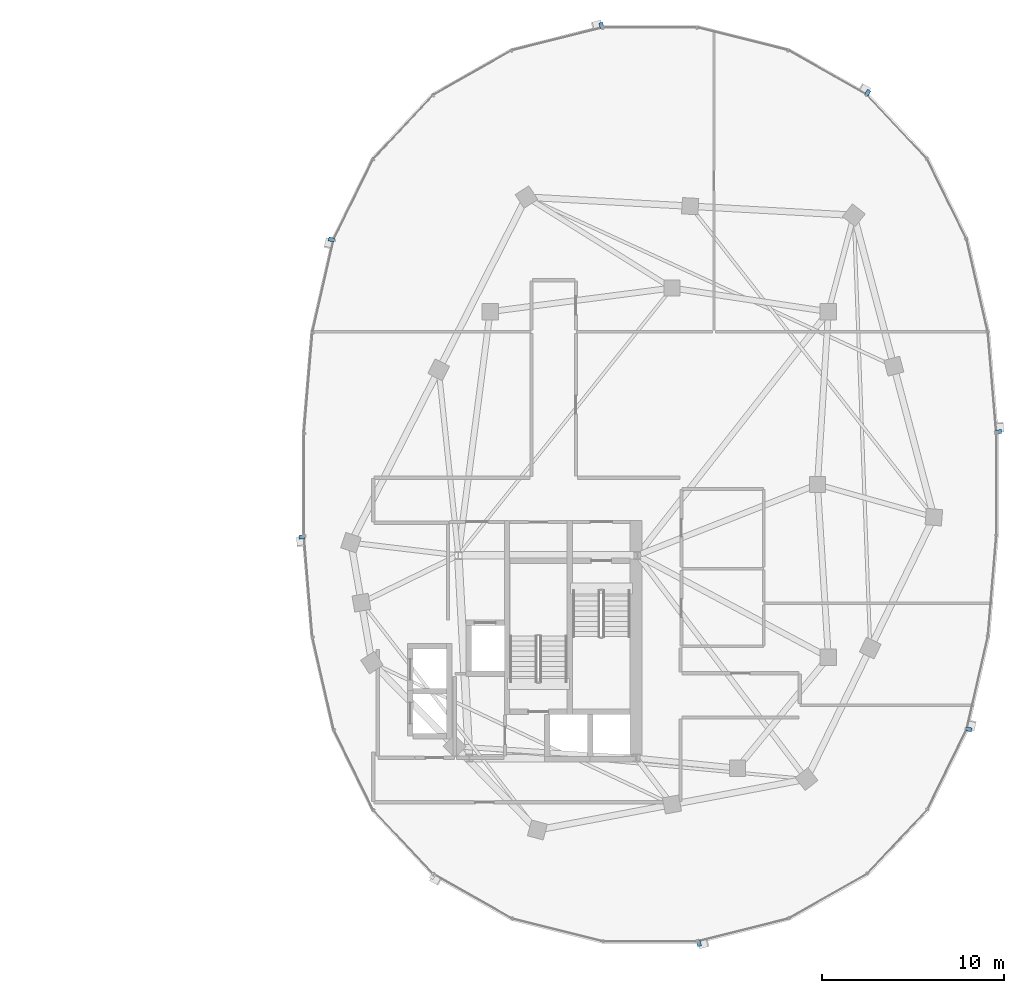
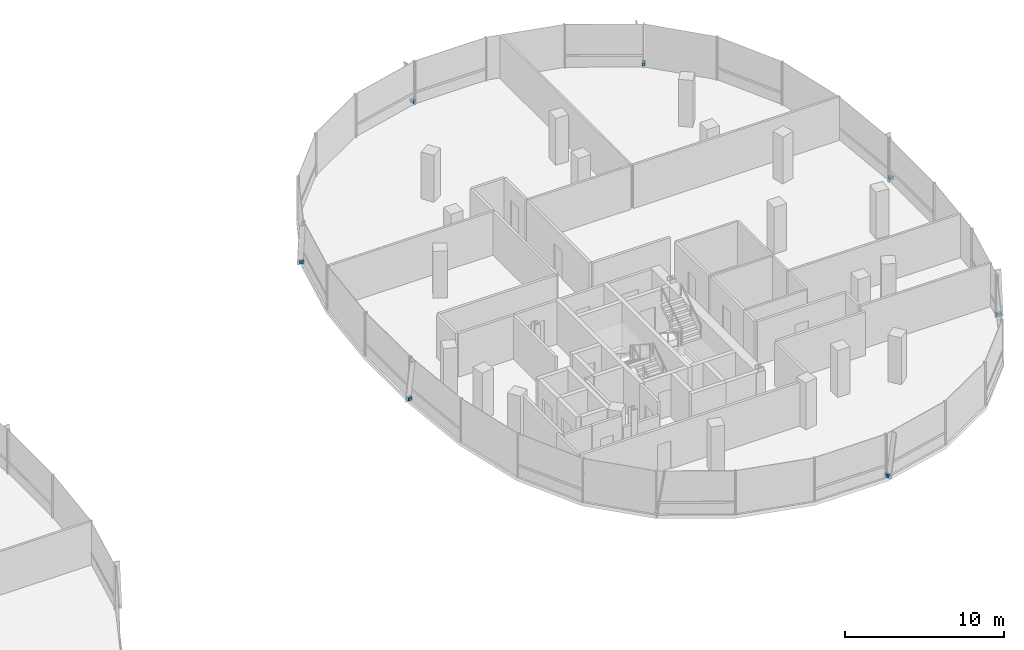
# One storey, part 20 of 25: 7 discrete accessories.
"""IFC4 building model written with IfcOpenShell, lengths in metres."""

import ifcopenshell
import ifcopenshell.guid

model = None  # the IFC model being written
_history = None  # IfcOwnerHistory: only IFC2X3 demands one
_inside = {}  # id of a spatial element -> (the spatial element, [elements in it])
_under = {}  # id of a project, library or spatial element -> (it, [spatial elements below it])
_declared = {}  # id of a project -> (the project, [libraries it declares])
_typed = {}  # id of a type object -> (the type object, [elements of that type])
_made_of = {}  # id of a material, layer set ... -> (it, [elements and type objects made of it])


def new_model(schema):
    """Start an empty IFC model of exactly this schema.

    Asked for "IFC4X3", IfcOpenShell would pick the latest addendum, in which some entities
    have other attributes; the version numbers below select the first issue.
    IFC2X3 requires an IfcOwnerHistory on every rooted entity: one is made here for all.
    """
    global model, _history
    if schema == "IFC4X3":
        model = ifcopenshell.file(schema_version=(4, 3, 0, 0))
    else:
        model = ifcopenshell.file(schema=schema)
    _inside.clear()
    _under.clear()
    _declared.clear()
    _typed.clear()
    _made_of.clear()
    _history = None
    if model.schema == "IFC2X3":
        org = make("IfcOrganization", Name="unknown")
        user = make(
            "IfcPersonAndOrganization",
            ThePerson=make("IfcPerson", FamilyName="unknown"),
            TheOrganization=org,
        )
        app = make(
            "IfcApplication",
            ApplicationDeveloper=org,
            Version="unknown",
            ApplicationFullName="unknown",
            ApplicationIdentifier="unknown",
        )
        _history = make(
            "IfcOwnerHistory",
            OwningUser=user,
            OwningApplication=app,
            ChangeAction="ADDED",
            CreationDate=0,
        )
    return model


def make(cls, **values):
    """One entity of the class cls with the attributes given. An attribute that is None is left unset."""
    return model.create_entity(
        cls, **{name: value for name, value in values.items() if value is not None}
    )


def rooted(cls, **values):
    """An entity with a GlobalId (a new one), such as an element, a storey or a relation."""
    return make(cls, GlobalId=ifcopenshell.guid.new(), OwnerHistory=_history, **values)


def si_unit(unit_type, name, prefix=None):
    """IfcSIUnit, for example si_unit("LENGTHUNIT", "METRE", prefix="MILLI")."""
    return make("IfcSIUnit", UnitType=unit_type, Prefix=prefix, Name=name)


def assignment(units):
    """IfcUnitAssignment: the units of a project."""
    return None if units is None else make("IfcUnitAssignment", Units=units)


def point(xyz):
    """IfcCartesianPoint."""
    return None if xyz is None else make("IfcCartesianPoint", Coordinates=xyz)


def direction(xyz):
    """IfcDirection."""
    return None if xyz is None else make("IfcDirection", DirectionRatios=xyz)


def frame(location, z_axis=None, x_axis=None):
    """IfcAxis2Placement3D, a coordinate frame: its origin and axes. An axis left out is left unset."""
    return make(
        "IfcAxis2Placement3D",
        Location=point(location),
        Axis=direction(z_axis),
        RefDirection=direction(x_axis),
    )


def frame_2d(location, x_axis=None):
    """IfcAxis2Placement2D, a coordinate frame in the plane: its origin and x axis."""
    return make(
        "IfcAxis2Placement2D", Location=point(location), RefDirection=direction(x_axis)
    )


def origin():
    """The frame at (0, 0, 0) with its axes left unset."""
    return frame((0.0, 0.0, 0.0))


def origin_2d():
    """The frame at (0, 0) in the plane with its x axis left unset."""
    return frame_2d((0.0, 0.0))


def place(relative_to, where):
    """IfcLocalPlacement: puts the frame where relative to a parent placement (None: the world)."""
    return make(
        "IfcLocalPlacement", PlacementRelTo=relative_to, RelativePlacement=where
    )


def context(
    kind, dimensions, precision=None, world=None, true_north=None, identifier=None
):
    """IfcGeometricRepresentationContext, for example the 3D "Model" context."""
    return make(
        "IfcGeometricRepresentationContext",
        ContextIdentifier=identifier,
        ContextType=kind,
        CoordinateSpaceDimension=dimensions,
        Precision=precision,
        WorldCoordinateSystem=world,
        TrueNorth=true_north,
    )


def subcontext(parent, identifier, kind, view, scale=None):
    """IfcGeometricRepresentationSubContext, for example "Body" below "Model"."""
    return make(
        "IfcGeometricRepresentationSubContext",
        ContextIdentifier=identifier,
        ContextType=kind,
        ParentContext=parent,
        TargetScale=scale,
        TargetView=view,
    )


def project(units=None, contexts=None):
    """IfcProject with its units and contexts."""
    return rooted(
        "IfcProject",
        Name="project",
        RepresentationContexts=contexts,
        UnitsInContext=assignment(units),
    )


def spatial(cls, under=None, at=None, **own):
    """A site, building, storey or space (cls), placed at a placement, below another one or the project."""
    s = rooted(cls, ObjectPlacement=at, **own)
    if under is not None:
        _under.setdefault(under.id(), (under, []))[1].append(s)
    return s


def profile(cls, at=None, kind="AREA", **sizes):
    """A parametric profile (cls). Its sizes go by their IFC names, for example OverallWidth=200.0."""
    return make(cls, ProfileType=kind, Position=at, **sizes)


def rectangle(**sizes):
    """IfcRectangleProfileDef."""
    return profile("IfcRectangleProfileDef", **sizes)


def extrude(swept, where, along, depth):
    """IfcExtrudedAreaSolid: the profile swept, set in the frame where, extruded along a direction by depth."""
    return make(
        "IfcExtrudedAreaSolid",
        SweptArea=swept,
        Position=where,
        ExtrudedDirection=direction(along),
        Depth=depth,
    )


def shape(context_of_items, identifier, shape_type, items):
    """IfcShapeRepresentation: the items that make up one representation, for example the "Body"."""
    return make(
        "IfcShapeRepresentation",
        ContextOfItems=context_of_items,
        RepresentationIdentifier=identifier,
        RepresentationType=shape_type,
        Items=items,
    )


def material(Name=None, Category=None):
    """IfcMaterial."""
    return make("IfcMaterial", Name=Name, Category=Category)


def made_of(thing, what):
    """Note that an element or type object is made of a material, layer set ...; save() writes the relation."""
    if what is not None:
        _made_of.setdefault(what.id(), (what, []))[1].append(thing)
    return thing


def type_object(cls, material=None, **own):
    """A type object (cls), such as IfcWallType, which elements share."""
    return made_of(rooted(cls, **own), material)


def element(
    cls,
    number,
    at=None,
    inside=None,
    cuts=None,
    type_object=None,
    material=None,
    context=None,
    identifier="Body",
    shape_type=None,
    held_by="IfcProductDefinitionShape",
    body=None,
    shapes=None,
    **own,
):
    """One element of the class cls, such as IfcWall. Its Tag is "e" and its number.

    at: its placement. inside: the storey or other place that contains it. cuts: it is an
    opening in that element (IfcRelVoidsElement). A single representation is given by context,
    identifier, shape_type and body (its items); several are given by shapes. held_by: the class
    of the entity that holds the representations. save() writes the other relations.
    """
    e = rooted(cls, Tag="e%d" % number, ObjectPlacement=at, **own)
    if body is not None:
        shapes = [shape(context, identifier, shape_type, body)]
    if shapes is not None:
        e.Representation = make(held_by, Representations=shapes)
    if inside is not None:
        _inside.setdefault(inside.id(), (inside, []))[1].append(e)
    if cuts is not None:
        rooted(
            "IfcRelVoidsElement", RelatingBuildingElement=cuts, RelatedOpeningElement=e
        )
    if type_object is not None:
        _typed.setdefault(type_object.id(), (type_object, []))[1].append(e)
    return made_of(e, material)


def aggregate(whole, parts):
    """IfcRelAggregates: a whole, such as a stair, and the parts it consists of."""
    return rooted("IfcRelAggregates", RelatingObject=whole, RelatedObjects=parts)


def save(model, path):
    """Write the relations noted so far, then the file.

    IfcRelAggregates (storeys below a building ...), IfcRelContainedInSpatialStructure (elements
    in a storey), IfcRelDefinesByType, IfcRelAssociatesMaterial and IfcRelDeclares: one each for
    every whole, place, type object, material and project.
    """
    for whole, parts in _under.values():
        aggregate(whole, parts)
    for where, things in _inside.values():
        rooted(
            "IfcRelContainedInSpatialStructure",
            RelatedElements=things,
            RelatingStructure=where,
        )
    for kind, things in _typed.values():
        rooted("IfcRelDefinesByType", RelatedObjects=things, RelatingType=kind)
    for what, things in _made_of.values():
        rooted("IfcRelAssociatesMaterial", RelatedObjects=things, RelatingMaterial=what)
    for by, libraries in _declared.values():
        rooted("IfcRelDeclares", RelatingContext=by, RelatedDefinitions=libraries)
    model.write(path)


model = new_model("IFC4")

# Units and contexts
model_context = context("Model", 3, precision=1e-05, world=origin(), true_north=direction((0.0, 1.0)))
body_context = subcontext(model_context, "Body", "Model", "MODEL_VIEW")
ifc_project = project(units=[si_unit("LENGTHUNIT", "METRE"), si_unit("AREAUNIT", "SQUARE_METRE"), si_unit("VOLUMEUNIT", "CUBIC_METRE"), si_unit("PLANEANGLEUNIT", "RADIAN"), si_unit("MASSUNIT", "GRAM", prefix="KILO"), si_unit("THERMODYNAMICTEMPERATUREUNIT", "KELVIN"), si_unit("POWERUNIT", "WATT")], contexts=[model_context])

# Site, building, storey
site_placement = place(None, origin())
site = spatial("IfcSite", under=ifc_project, at=site_placement, CompositionType="ELEMENT")
building_placement = place(site_placement, origin())
building = spatial("IfcBuilding", under=site, at=building_placement, Name="Cundina Bronze Exchange", CompositionType="ELEMENT")
storey_placement = place(building_placement, frame((0.0, 0.0, 202.60009765625)))
storey = spatial("IfcBuildingStorey", under=building, at=storey_placement, Name="L53", CompositionType="ELEMENT", Elevation=202.60009765625)

# Discrete accessories
ifc_material = material(Name="Anodised Bronze Aluminium 6063-T6", Category="aluminium")
discrete_accessory_type = type_object("IfcDiscreteAccessoryType", Name="ACC-BRK-FIN", PredefinedType="BRACKET", material=ifc_material)
for number, where, z_axis, x_axis, name in (
    (1, (51.15478515625, 2.893798828125, 0.10009765625), (0.0, 0.0, 1.0), (-0.083747411454, 0.996487015006, 0.0), "L53 Fin Support Bracket 1"),
    (2, (43.961181640625, 21.539794921875, 0.10009765625), (0.0, 0.0, 1.0), (-0.869572506985, 0.493805280547, 0.0), "L53 Fin Support Bracket 5"),
    (3, (29.321044921875, 25.23779296875, 0.10009765625), (0.0, 0.0, 1.0), (-0.969731542251, -0.244173577528, 0.0), "L53 Fin Support Bracket 1"),
    (4, (14.470458984375, 13.468505859375, 0.10009765625), (0.0, 0.0, 1.0), (-0.223284141459, -0.974753400698, 0.0), "L53 Fin Support Bracket 5"),
    (5, (12.84521484375, -2.893798828125, 0.10009765625), (0.0, 0.0, 1.0), (0.083747411454, -0.996487015006, 0.0), "L53 Fin Support Bracket 1"),
    (6, (34.678955078125, -25.23779296875, 0.10009765625), (0.0, 0.0, 1.0), (0.969731542251, 0.244173577528, 0.0), "L53 Fin Support Bracket 1"),
    (7, (49.529541015625, -13.468505859375, 0.10009765625), (0.0, 0.0, 1.0), (0.223284141459, 0.974753400698, 0.0), "L53 Fin Support Bracket 5"),
):
    element("IfcDiscreteAccessory", number, at=place(storey_placement, frame(where, z_axis=z_axis, x_axis=x_axis)), inside=storey, type_object=discrete_accessory_type, Name=name, PredefinedType="BRACKET", context=body_context, shape_type="SweptSolid", body=[
        extrude(rectangle(XDim=0.219970703125, YDim=0.320068359375, at=origin_2d()), origin(), (0.0, 0.0, 1.0), 0.239990234375),
    ])

save(model, "model.ifc")
